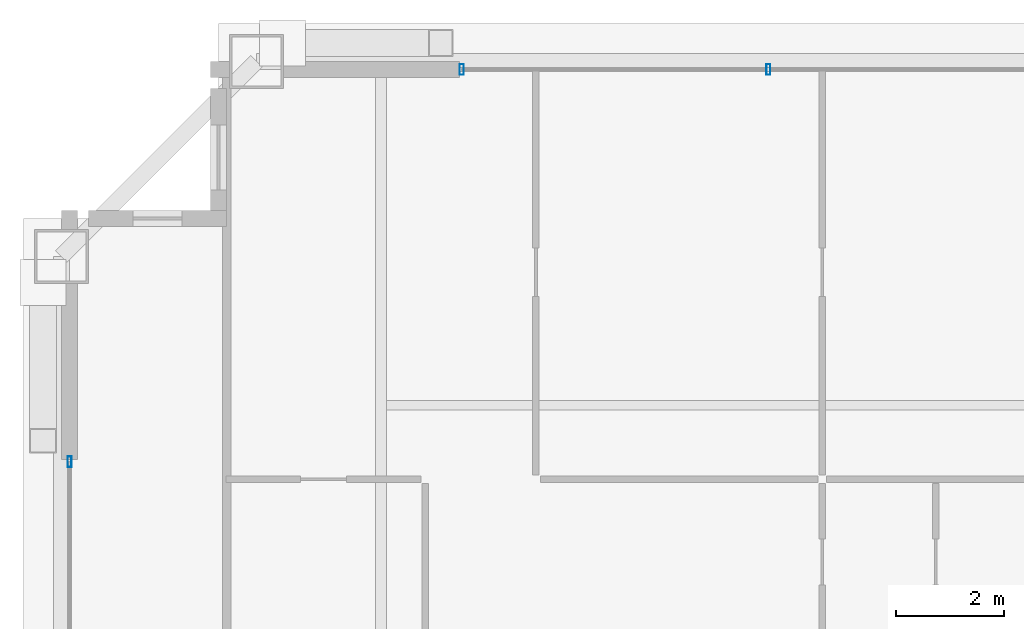
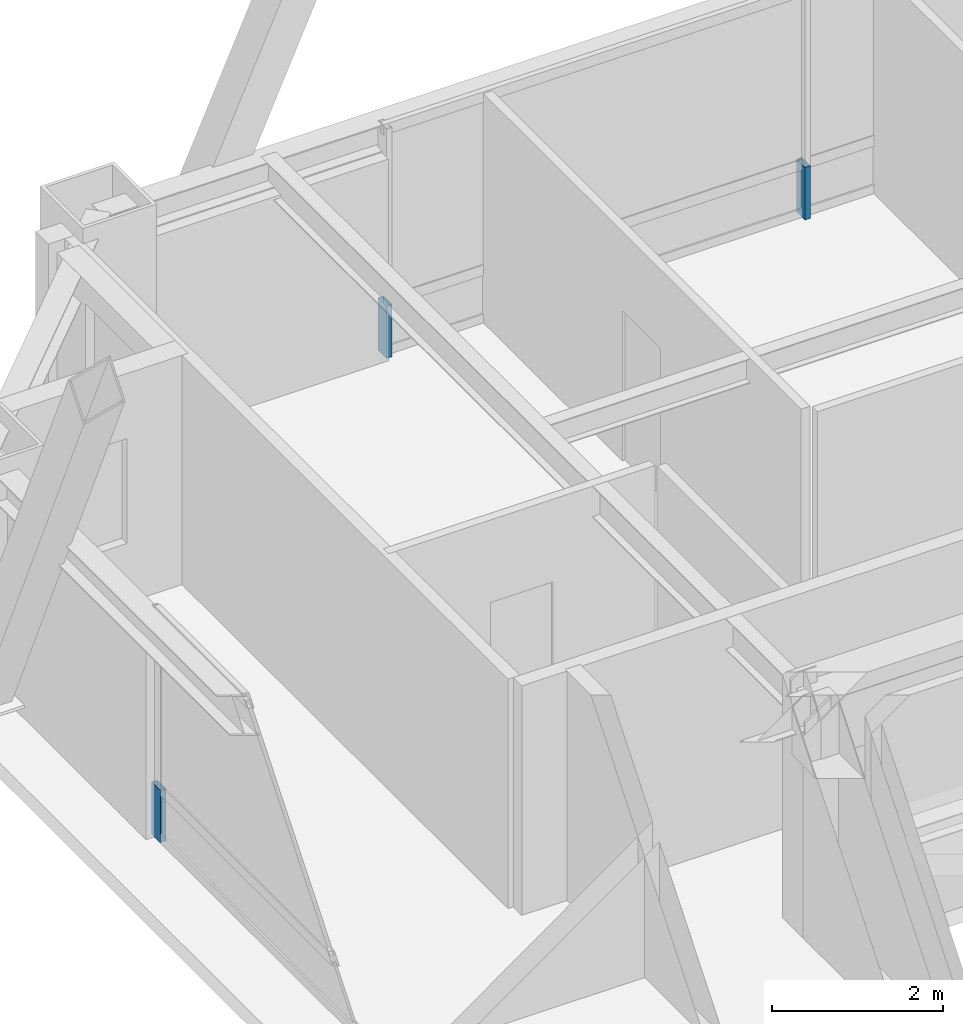
# One storey, part 26 of 35: 3 members, 2 elements without a shape of their own.
"""IFC4 building model written with IfcOpenShell, lengths in metres."""

from ifc_helpers import new_model, si_unit, direction, frame, origin, origin_2d, place, context, subcontext, project, spatial, hollow_rectangle, extrude, source, transform, mapped, material, layer, layer_set, material_profile, profile_set, type_object, element, aggregate, save


model = new_model("IFC4")

# Units and contexts
model_context = context("Model", 3, precision=1e-05, world=origin(), true_north=direction((0.0, 1.0)))
body_context = subcontext(model_context, "Body", "Model", "MODEL_VIEW")
ifc_project = project(units=[si_unit("LENGTHUNIT", "METRE"), si_unit("AREAUNIT", "SQUARE_METRE"), si_unit("VOLUMEUNIT", "CUBIC_METRE"), si_unit("PLANEANGLEUNIT", "RADIAN"), si_unit("MASSUNIT", "GRAM", prefix="KILO"), si_unit("THERMODYNAMICTEMPERATUREUNIT", "KELVIN"), si_unit("POWERUNIT", "WATT")], contexts=[model_context])

# Site, building, storey
site_placement = place(None, origin())
site = spatial("IfcSite", under=ifc_project, at=site_placement, CompositionType="ELEMENT")
building_placement = place(site_placement, origin())
building = spatial("IfcBuilding", under=site, at=building_placement, Name="Yuzanri Waterfront Tower", CompositionType="ELEMENT")
storey_placement = place(building_placement, frame((0.0, 0.0, 314.699951171875)))
storey = spatial("IfcBuildingStorey", under=building, at=storey_placement, Name="L84", CompositionType="ELEMENT", Elevation=314.699951171875)

# Curtain wall, members
ifc_material_1 = material(Name="Anodized Architectural Bronze", Category="metal")
ifc_layer = layer(ifc_material_1, 0.159912109375)
ifc_layer_set = layer_set([ifc_layer], Name="Anodized Architectural Bronze")
curtain_wall_type = type_object("IfcCurtainWallType", Name="Anodized Bronze High-Rise Penthouse High-Wind Unitized Curtain Wall 6900", PredefinedType="NOTDEFINED", material=ifc_layer_set)
curtain_wall_1_placement = place(storey_placement, origin())
curtain_wall_1 = element("IfcCurtainWall", 1, at=curtain_wall_1_placement, inside=storey, type_object=curtain_wall_type, Name="L84 Curtain Wall CW-L84-NL", PredefinedType="NOTDEFINED")
ifc_material_2 = material(Name="Anodized Architectural Bronze", Category="metal")
ifc_material_profile = material_profile(ifc_material_2, hollow_rectangle(XDim=0.074951171875, YDim=0.199951171875, WallThickness=0.00390625, at=origin_2d()), Name="CWM 75x200")
ifc_profile_set = profile_set([ifc_material_profile], Name="Anodized Architectural Bronze")
member_type = type_object("IfcMemberType", Name="Anodized Bronze Primary Curtain-Wall Mullion 75x200", PredefinedType="MULLION", material=ifc_profile_set)
shared_shape = source(origin(), body_context, "Body", "SweptSolid", [
    extrude(hollow_rectangle(XDim=0.074951171875, YDim=0.199951171875, WallThickness=0.00390625, at=origin_2d()), origin(), (0.0, 0.0, 1.0), 0.751953125),
])
member_1_placement = place(storey_placement, frame((25.2900390625, 44.75, 0.0), z_axis=(0.0, 0.0, 1.0), x_axis=(1.0, 0.0, 0.0)))
member_1 = element("IfcMember", 2, at=member_1_placement, type_object=member_type, Name="CW-L84-NL Lower Mullion 00", PredefinedType="MULLION", context=body_context, shape_type="MappedRepresentation", body=[
    mapped(shared_shape, transform((0.0, 0.0, 0.0), scale=1.0)),
])
member_2_placement = place(storey_placement, frame((30.949951171875, 44.75, 0.0), z_axis=(0.0, 0.0, 1.0), x_axis=(1.0, 0.0, 0.0)))
member_2 = element("IfcMember", 3, at=member_2_placement, type_object=member_type, Name="CW-L84-NL Lower Mullion 01", PredefinedType="MULLION", context=body_context, shape_type="MappedRepresentation", body=[
    mapped(shared_shape, transform((0.0, 0.0, 0.0), scale=1.0)),
])
aggregate(curtain_wall_1, [member_1, member_2])

# Curtain wall, member
curtain_wall_2_placement = place(storey_placement, origin())
curtain_wall_2 = element("IfcCurtainWall", 4, at=curtain_wall_2_placement, inside=storey, type_object=curtain_wall_type, Name="L84 Curtain Wall CW-L84-WR", PredefinedType="NOTDEFINED")
member_3_placement = place(storey_placement, frame((18.050048828125, 37.510009765625, 0.0), z_axis=(0.0, 0.0, 1.0), x_axis=(1.0, 0.0, 0.0)))
member_3 = element("IfcMember", 5, at=member_3_placement, type_object=member_type, Name="CW-L84-WR Lower Mullion 02", PredefinedType="MULLION", context=body_context, shape_type="MappedRepresentation", body=[
    mapped(shared_shape, transform((0.0, 0.0, 0.0), scale=1.0)),
])
aggregate(curtain_wall_2, [member_3])

save(model, "model.ifc")
